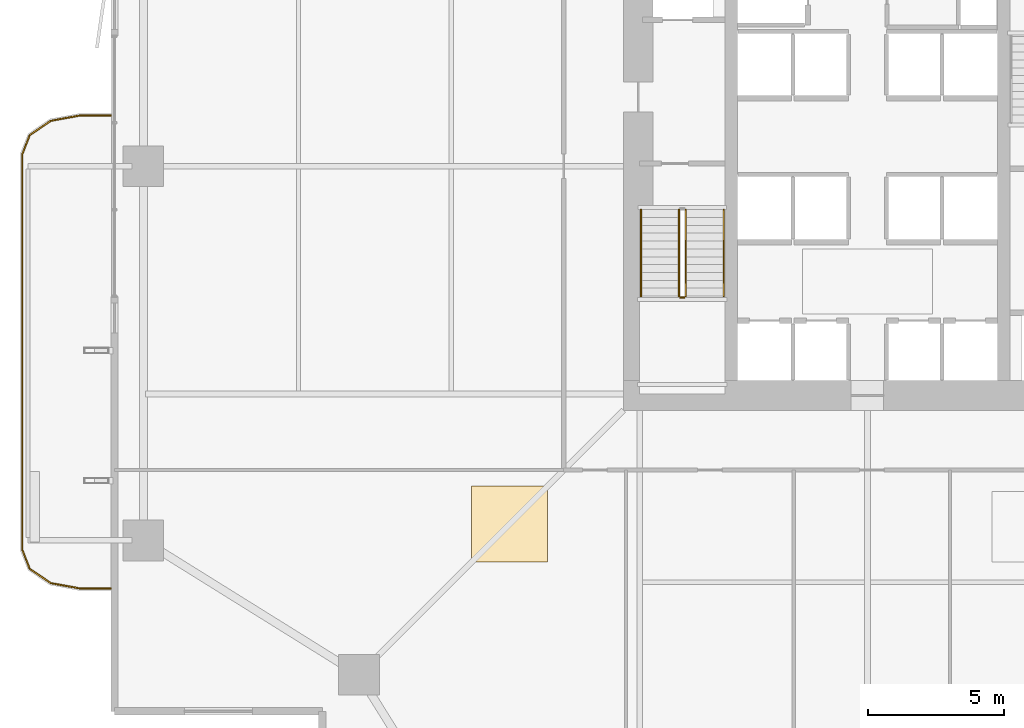
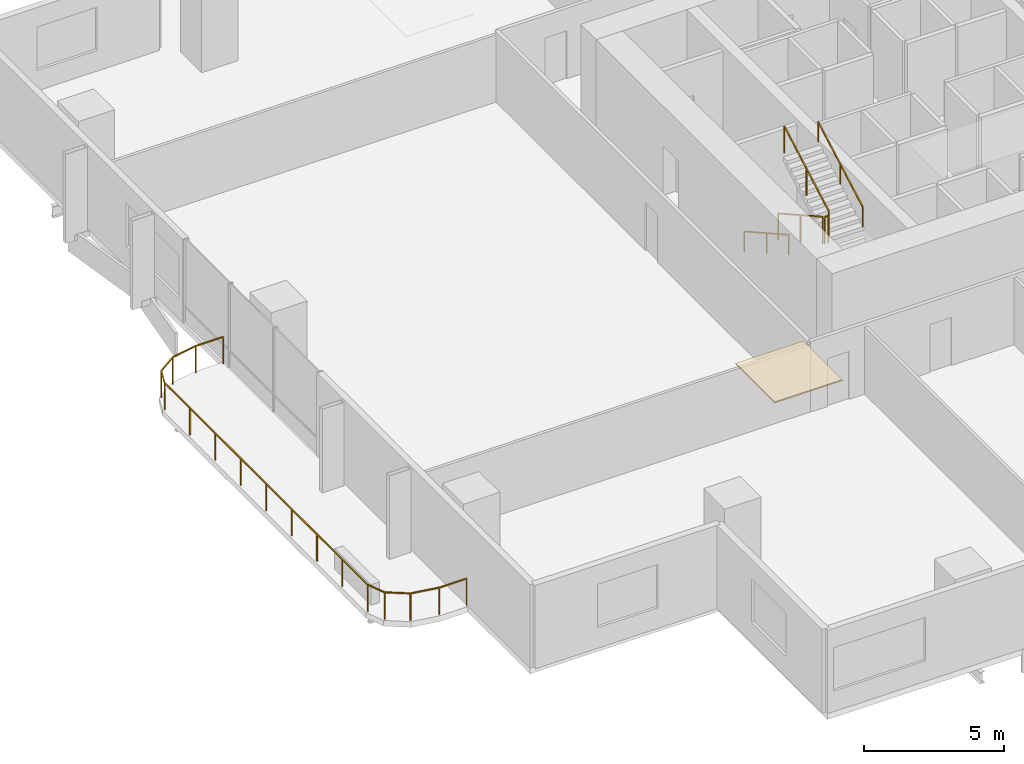
# One storey, part 21 of 24: 6 railings, 1 covering.
"""IFC4 building model written with IfcOpenShell, lengths in metres."""

import ifcopenshell
import ifcopenshell.guid

model = None  # the IFC model being written
_history = None  # IfcOwnerHistory: only IFC2X3 demands one
_inside = {}  # id of a spatial element -> (the spatial element, [elements in it])
_under = {}  # id of a project, library or spatial element -> (it, [spatial elements below it])
_declared = {}  # id of a project -> (the project, [libraries it declares])
_typed = {}  # id of a type object -> (the type object, [elements of that type])
_made_of = {}  # id of a material, layer set ... -> (it, [elements and type objects made of it])


def new_model(schema):
    """Start an empty IFC model of exactly this schema.

    Asked for "IFC4X3", IfcOpenShell would pick the latest addendum, in which some entities
    have other attributes; the version numbers below select the first issue.
    IFC2X3 requires an IfcOwnerHistory on every rooted entity: one is made here for all.
    """
    global model, _history
    if schema == "IFC4X3":
        model = ifcopenshell.file(schema_version=(4, 3, 0, 0))
    else:
        model = ifcopenshell.file(schema=schema)
    _inside.clear()
    _under.clear()
    _declared.clear()
    _typed.clear()
    _made_of.clear()
    _history = None
    if model.schema == "IFC2X3":
        org = make("IfcOrganization", Name="unknown")
        user = make(
            "IfcPersonAndOrganization",
            ThePerson=make("IfcPerson", FamilyName="unknown"),
            TheOrganization=org,
        )
        app = make(
            "IfcApplication",
            ApplicationDeveloper=org,
            Version="unknown",
            ApplicationFullName="unknown",
            ApplicationIdentifier="unknown",
        )
        _history = make(
            "IfcOwnerHistory",
            OwningUser=user,
            OwningApplication=app,
            ChangeAction="ADDED",
            CreationDate=0,
        )
    return model


def make(cls, **values):
    """One entity of the class cls with the attributes given. An attribute that is None is left unset."""
    return model.create_entity(
        cls, **{name: value for name, value in values.items() if value is not None}
    )


def rooted(cls, **values):
    """An entity with a GlobalId (a new one), such as an element, a storey or a relation."""
    return make(cls, GlobalId=ifcopenshell.guid.new(), OwnerHistory=_history, **values)


def si_unit(unit_type, name, prefix=None):
    """IfcSIUnit, for example si_unit("LENGTHUNIT", "METRE", prefix="MILLI")."""
    return make("IfcSIUnit", UnitType=unit_type, Prefix=prefix, Name=name)


def assignment(units):
    """IfcUnitAssignment: the units of a project."""
    return None if units is None else make("IfcUnitAssignment", Units=units)


def point(xyz):
    """IfcCartesianPoint."""
    return None if xyz is None else make("IfcCartesianPoint", Coordinates=xyz)


def direction(xyz):
    """IfcDirection."""
    return None if xyz is None else make("IfcDirection", DirectionRatios=xyz)


def frame(location, z_axis=None, x_axis=None):
    """IfcAxis2Placement3D, a coordinate frame: its origin and axes. An axis left out is left unset."""
    return make(
        "IfcAxis2Placement3D",
        Location=point(location),
        Axis=direction(z_axis),
        RefDirection=direction(x_axis),
    )


def frame_2d(location, x_axis=None):
    """IfcAxis2Placement2D, a coordinate frame in the plane: its origin and x axis."""
    return make(
        "IfcAxis2Placement2D", Location=point(location), RefDirection=direction(x_axis)
    )


def origin():
    """The frame at (0, 0, 0) with its axes left unset."""
    return frame((0.0, 0.0, 0.0))


def origin_2d():
    """The frame at (0, 0) in the plane with its x axis left unset."""
    return frame_2d((0.0, 0.0))


def place(relative_to, where):
    """IfcLocalPlacement: puts the frame where relative to a parent placement (None: the world)."""
    return make(
        "IfcLocalPlacement", PlacementRelTo=relative_to, RelativePlacement=where
    )


def context(
    kind, dimensions, precision=None, world=None, true_north=None, identifier=None
):
    """IfcGeometricRepresentationContext, for example the 3D "Model" context."""
    return make(
        "IfcGeometricRepresentationContext",
        ContextIdentifier=identifier,
        ContextType=kind,
        CoordinateSpaceDimension=dimensions,
        Precision=precision,
        WorldCoordinateSystem=world,
        TrueNorth=true_north,
    )


def subcontext(parent, identifier, kind, view, scale=None):
    """IfcGeometricRepresentationSubContext, for example "Body" below "Model"."""
    return make(
        "IfcGeometricRepresentationSubContext",
        ContextIdentifier=identifier,
        ContextType=kind,
        ParentContext=parent,
        TargetScale=scale,
        TargetView=view,
    )


def project(units=None, contexts=None):
    """IfcProject with its units and contexts."""
    return rooted(
        "IfcProject",
        Name="project",
        RepresentationContexts=contexts,
        UnitsInContext=assignment(units),
    )


def spatial(cls, under=None, at=None, **own):
    """A site, building, storey or space (cls), placed at a placement, below another one or the project."""
    s = rooted(cls, ObjectPlacement=at, **own)
    if under is not None:
        _under.setdefault(under.id(), (under, []))[1].append(s)
    return s


def polyline(points):
    """IfcPolyline through the points."""
    return make("IfcPolyline", Points=[point(p) for p in points])


def profile(cls, at=None, kind="AREA", **sizes):
    """A parametric profile (cls). Its sizes go by their IFC names, for example OverallWidth=200.0."""
    return make(cls, ProfileType=kind, Position=at, **sizes)


def rectangle(**sizes):
    """IfcRectangleProfileDef."""
    return profile("IfcRectangleProfileDef", **sizes)


def outline(outer, holes=None, kind="AREA"):
    """IfcArbitraryClosedProfileDef: a profile drawn as a closed curve; with holes, ...WithVoids."""
    if holes is None:
        return make("IfcArbitraryClosedProfileDef", ProfileType=kind, OuterCurve=outer)
    return make(
        "IfcArbitraryProfileDefWithVoids",
        ProfileType=kind,
        OuterCurve=outer,
        InnerCurves=holes,
    )


def extrude(swept, where, along, depth):
    """IfcExtrudedAreaSolid: the profile swept, set in the frame where, extruded along a direction by depth."""
    return make(
        "IfcExtrudedAreaSolid",
        SweptArea=swept,
        Position=where,
        ExtrudedDirection=direction(along),
        Depth=depth,
    )


def shape(context_of_items, identifier, shape_type, items):
    """IfcShapeRepresentation: the items that make up one representation, for example the "Body"."""
    return make(
        "IfcShapeRepresentation",
        ContextOfItems=context_of_items,
        RepresentationIdentifier=identifier,
        RepresentationType=shape_type,
        Items=items,
    )


def material(Name=None, Category=None):
    """IfcMaterial."""
    return make("IfcMaterial", Name=Name, Category=Category)


def layer(
    of_material, thickness, ventilated=None, Name=None, Category=None, Priority=None
):
    """IfcMaterialLayer: one layer of a wall or slab, of a material (None: an air gap)."""
    return make(
        "IfcMaterialLayer",
        Material=of_material,
        LayerThickness=thickness,
        IsVentilated=ventilated,
        Name=Name,
        Category=Category,
        Priority=Priority,
    )


def layer_set(layers, Name=None):
    """IfcMaterialLayerSet."""
    return make("IfcMaterialLayerSet", MaterialLayers=layers, LayerSetName=Name)


def made_of(thing, what):
    """Note that an element or type object is made of a material, layer set ...; save() writes the relation."""
    if what is not None:
        _made_of.setdefault(what.id(), (what, []))[1].append(thing)
    return thing


def type_object(cls, material=None, **own):
    """A type object (cls), such as IfcWallType, which elements share."""
    return made_of(rooted(cls, **own), material)


def element(
    cls,
    number,
    at=None,
    inside=None,
    cuts=None,
    type_object=None,
    material=None,
    context=None,
    identifier="Body",
    shape_type=None,
    held_by="IfcProductDefinitionShape",
    body=None,
    shapes=None,
    **own,
):
    """One element of the class cls, such as IfcWall. Its Tag is "e" and its number.

    at: its placement. inside: the storey or other place that contains it. cuts: it is an
    opening in that element (IfcRelVoidsElement). A single representation is given by context,
    identifier, shape_type and body (its items); several are given by shapes. held_by: the class
    of the entity that holds the representations. save() writes the other relations.
    """
    e = rooted(cls, Tag="e%d" % number, ObjectPlacement=at, **own)
    if body is not None:
        shapes = [shape(context, identifier, shape_type, body)]
    if shapes is not None:
        e.Representation = make(held_by, Representations=shapes)
    if inside is not None:
        _inside.setdefault(inside.id(), (inside, []))[1].append(e)
    if cuts is not None:
        rooted(
            "IfcRelVoidsElement", RelatingBuildingElement=cuts, RelatedOpeningElement=e
        )
    if type_object is not None:
        _typed.setdefault(type_object.id(), (type_object, []))[1].append(e)
    return made_of(e, material)


def aggregate(whole, parts):
    """IfcRelAggregates: a whole, such as a stair, and the parts it consists of."""
    return rooted("IfcRelAggregates", RelatingObject=whole, RelatedObjects=parts)


def save(model, path):
    """Write the relations noted so far, then the file.

    IfcRelAggregates (storeys below a building ...), IfcRelContainedInSpatialStructure (elements
    in a storey), IfcRelDefinesByType, IfcRelAssociatesMaterial and IfcRelDeclares: one each for
    every whole, place, type object, material and project.
    """
    for whole, parts in _under.values():
        aggregate(whole, parts)
    for where, things in _inside.values():
        rooted(
            "IfcRelContainedInSpatialStructure",
            RelatedElements=things,
            RelatingStructure=where,
        )
    for kind, things in _typed.values():
        rooted("IfcRelDefinesByType", RelatedObjects=things, RelatingType=kind)
    for what, things in _made_of.values():
        rooted("IfcRelAssociatesMaterial", RelatedObjects=things, RelatingMaterial=what)
    for by, libraries in _declared.values():
        rooted("IfcRelDeclares", RelatingContext=by, RelatedDefinitions=libraries)
    model.write(path)


model = new_model("IFC4")

# Units and contexts
model_context = context("Model", 3, precision=1e-05, world=origin(), true_north=direction((0.0, 1.0)))
body_context = subcontext(model_context, "Body", "Model", "MODEL_VIEW")
ifc_project = project(units=[si_unit("LENGTHUNIT", "METRE"), si_unit("AREAUNIT", "SQUARE_METRE"), si_unit("VOLUMEUNIT", "CUBIC_METRE"), si_unit("PLANEANGLEUNIT", "RADIAN"), si_unit("MASSUNIT", "GRAM", prefix="KILO")], contexts=[model_context])

# Site, building, storey
site_placement = place(None, origin())
site = spatial("IfcSite", under=ifc_project, at=site_placement, CompositionType="ELEMENT")
building_placement = place(site_placement, origin())
building = spatial("IfcBuilding", under=site, at=building_placement, Name="Belovzor Exchange Tower", CompositionType="ELEMENT")
storey_placement = place(building_placement, frame((0.0, 0.0, 96.300048828125)))
storey = spatial("IfcBuildingStorey", under=building, at=storey_placement, Name="L23", CompositionType="ELEMENT", Elevation=96.300048828125)

# Railings
ifc_material_1 = material(Name="Stainless Steel Grade 304", Category="steel")
railing_type_1 = type_object("IfcRailingType", Name="Brushed Stainless Steel Stair Handrail 900", PredefinedType="HANDRAIL", material=ifc_material_1)
railing_1_placement = place(storey_placement, frame((20.449951171875, 27.199951171875, 0.162353515625)))
element("IfcRailing", 1, at=railing_1_placement, inside=storey, type_object=railing_type_1, Name="L23 ST-1 stair handrail 1", PredefinedType="HANDRAIL", context=body_context, shape_type="SweptSolid", body=[
    extrude(rectangle(XDim=0.048095703125, YDim=0.048095703125, at=origin_2d()), frame((0.0, 0.0, 0.8759765625), z_axis=(0.0, -0.8723625253, 0.488859514025), x_axis=(1.0, 0.0, 0.0)), (0.0, 0.0, 1.0), 3.65673828125),
    extrude(rectangle(XDim=0.0419921875, YDim=0.0419921875, at=origin_2d()), origin(), (0.0, 0.0, 1.0), 0.851806640625),
    extrude(rectangle(XDim=0.0419921875, YDim=0.0419921875, at=origin_2d()), frame((0.0, -1.594970703125, 0.893798828125)), (0.0, 0.0, 1.0), 0.851806640625),
    extrude(rectangle(XDim=0.0419921875, YDim=0.0419921875, at=origin_2d()), frame((0.0, -3.18994140625, 1.78759765625)), (0.0, 0.0, 1.0), 0.851806640625),
])
railing_2_placement = place(storey_placement, frame((23.5, 24.010009765625, 2.112548828125)))
element("IfcRailing", 2, at=railing_2_placement, inside=storey, type_object=railing_type_1, Name="L23 ST-1 stair handrail 2", PredefinedType="HANDRAIL", context=body_context, shape_type="SweptSolid", body=[
    extrude(rectangle(XDim=0.048095703125, YDim=0.048095703125, at=origin_2d()), frame((0.0, 0.0, 0.8759765625), z_axis=(0.0, 0.872390997893, 0.488808701636), x_axis=(-1.0, 0.0, 0.0)), (0.0, 0.0, 1.0), 3.656494140625),
    extrude(rectangle(XDim=0.0419921875, YDim=0.0419921875, at=origin_2d()), origin(), (0.0, 0.0, 1.0), 0.851806640625),
    extrude(rectangle(XDim=0.0419921875, YDim=0.0419921875, at=origin_2d()), frame((0.0, 1.594970703125, 0.8935546875)), (0.0, 0.0, 1.0), 0.851806640625),
    extrude(rectangle(XDim=0.0419921875, YDim=0.0419921875, at=origin_2d()), frame((0.0, 3.18994140625, 1.787353515625)), (0.0, 0.0, 1.0), 0.851806640625),
])
ifc_material_2 = material(Name="Stainless Steel and Laminated Safety Glass", Category="steel")
railing_type_2 = type_object("IfcRailingType", Name="Laminated Glass & Stainless Steel Balcony Balustrade 1200", PredefinedType="BALUSTRADE", material=ifc_material_2)
railing_3_placement = place(storey_placement, frame((0.889892578125, 30.669921875, 0.0)))
element("IfcRailing", 3, at=railing_3_placement, inside=storey, type_object=railing_type_2, Name="GR-1 Balcony Balustrade L23 West", PredefinedType="BALUSTRADE", context=body_context, shape_type="SweptSolid", body=[
    extrude(rectangle(XDim=0.048095703125, YDim=0.048095703125, at=origin_2d()), frame((0.0, 0.0, 1.17578125), z_axis=(-1.0, 0.0, 0.0), x_axis=(0.0, -1.0, 0.0)), (0.0, 0.0, 1.0), 1.1328125),
    extrude(rectangle(XDim=0.048095703125, YDim=0.048095703125, at=origin_2d()), frame((-1.1328125, 0.0, 1.17578125), z_axis=(-0.983651385113, -0.180083182347, 0.0), x_axis=(0.180083182347, -0.983651385113, 0.0)), (0.0, 0.0, 1.0), 1.093994140625),
    extrude(rectangle(XDim=0.048095703125, YDim=0.048095703125, at=origin_2d()), frame((-2.208984375, -0.197021484375, 1.17578125), z_axis=(-0.826614792125, -0.562768145367, 0.0), x_axis=(0.562768145367, -0.826614792125, 0.0)), (0.0, 0.0, 1.0), 0.9326171875),
    extrude(rectangle(XDim=0.048095703125, YDim=0.048095703125, at=origin_2d()), frame((-2.97998046875, -0.721923828125, 1.17578125), z_axis=(-0.365612923861, -0.930766990125, 0.0), x_axis=(0.930766990125, -0.365612923861, 0.0)), (0.0, 0.0, 1.0), 0.765869140625),
    extrude(rectangle(XDim=0.048095703125, YDim=0.048095703125, at=origin_2d()), frame((-3.260009765625, -1.434814453125, 1.17578125), z_axis=(0.0, -1.0, 0.0), x_axis=(1.0, 0.0, 0.0)), (0.0, 0.0, 1.0), 14.570068359375),
    extrude(rectangle(XDim=0.048095703125, YDim=0.048095703125, at=origin_2d()), frame((-3.260009765625, -16.0048828125, 1.17578125), z_axis=(0.365504480807, -0.930809580156, 0.0), x_axis=(0.930809580156, 0.365504480807, 0.0)), (0.0, 0.0, 1.0), 0.76611328125),
    extrude(rectangle(XDim=0.048095703125, YDim=0.048095703125, at=origin_2d()), frame((-2.97998046875, -16.718017578125, 1.17578125), z_axis=(0.826614792125, -0.562768145367, 0.0), x_axis=(0.562768145367, 0.826614792125, 0.0)), (0.0, 0.0, 1.0), 0.9326171875),
    extrude(rectangle(XDim=0.048095703125, YDim=0.048095703125, at=origin_2d()), frame((-2.208984375, -17.242919921875, 1.17578125), z_axis=(0.983651385113, -0.180083182347, 0.0), x_axis=(0.180083182347, 0.983651385113, 0.0)), (0.0, 0.0, 1.0), 1.093994140625),
    extrude(rectangle(XDim=0.048095703125, YDim=0.048095703125, at=origin_2d()), frame((-1.1328125, -17.43994140625, 1.17578125), z_axis=(1.0, 0.0, 0.0), x_axis=(0.0, 1.0, 0.0)), (0.0, 0.0, 1.0), 1.1328125),
    extrude(rectangle(XDim=0.0419921875, YDim=0.0419921875, at=origin_2d()), origin(), (0.0, 0.0, 1.0), 1.15185546875),
    extrude(rectangle(XDim=0.0419921875, YDim=0.0419921875, at=origin_2d()), frame((-1.1328125, 0.0, 0.0)), (0.0, 0.0, 1.0), 1.15185546875),
    extrude(rectangle(XDim=0.0419921875, YDim=0.0419921875, at=origin_2d()), frame((-2.208984375, -0.197021484375, 0.0)), (0.0, 0.0, 1.0), 1.15185546875),
    extrude(rectangle(XDim=0.0419921875, YDim=0.0419921875, at=origin_2d()), frame((-2.97998046875, -0.721923828125, 0.0)), (0.0, 0.0, 1.0), 1.15185546875),
    extrude(rectangle(XDim=0.0419921875, YDim=0.0419921875, at=origin_2d()), frame((-3.260009765625, -1.434814453125, 0.0)), (0.0, 0.0, 1.0), 1.15185546875),
    extrude(rectangle(XDim=0.0419921875, YDim=0.0419921875, at=origin_2d()), frame((-3.260009765625, -3.256103515625, 0.0)), (0.0, 0.0, 1.0), 1.15185546875),
    extrude(rectangle(XDim=0.0419921875, YDim=0.0419921875, at=origin_2d()), frame((-3.260009765625, -5.077392578125, 0.0)), (0.0, 0.0, 1.0), 1.15185546875),
    extrude(rectangle(XDim=0.0419921875, YDim=0.0419921875, at=origin_2d()), frame((-3.260009765625, -6.898681640625, 0.0)), (0.0, 0.0, 1.0), 1.15185546875),
    extrude(rectangle(XDim=0.0419921875, YDim=0.0419921875, at=origin_2d()), frame((-3.260009765625, -8.7197265625, 0.0)), (0.0, 0.0, 1.0), 1.15185546875),
    extrude(rectangle(XDim=0.0419921875, YDim=0.0419921875, at=origin_2d()), frame((-3.260009765625, -10.541015625, 0.0)), (0.0, 0.0, 1.0), 1.15185546875),
    extrude(rectangle(XDim=0.0419921875, YDim=0.0419921875, at=origin_2d()), frame((-3.260009765625, -12.3623046875, 0.0)), (0.0, 0.0, 1.0), 1.15185546875),
    extrude(rectangle(XDim=0.0419921875, YDim=0.0419921875, at=origin_2d()), frame((-3.260009765625, -14.18359375, 0.0)), (0.0, 0.0, 1.0), 1.15185546875),
    extrude(rectangle(XDim=0.0419921875, YDim=0.0419921875, at=origin_2d()), frame((-3.260009765625, -16.0048828125, 0.0)), (0.0, 0.0, 1.0), 1.15185546875),
    extrude(rectangle(XDim=0.0419921875, YDim=0.0419921875, at=origin_2d()), frame((-2.97998046875, -16.718017578125, 0.0)), (0.0, 0.0, 1.0), 1.15185546875),
    extrude(rectangle(XDim=0.0419921875, YDim=0.0419921875, at=origin_2d()), frame((-2.208984375, -17.242919921875, 0.0)), (0.0, 0.0, 1.0), 1.15185546875),
    extrude(rectangle(XDim=0.0419921875, YDim=0.0419921875, at=origin_2d()), frame((-1.1328125, -17.43994140625, 0.0)), (0.0, 0.0, 1.0), 1.15185546875),
    extrude(rectangle(XDim=0.0419921875, YDim=0.0419921875, at=origin_2d()), frame((0.0, -17.43994140625, 0.0)), (0.0, 0.0, 1.0), 1.15185546875),
])
ifc_material_3 = material(Name="Steel S355", Category="steel")
railing_type_3 = type_object("IfcRailingType", Name="Painted Steel Stairwell Guardrail 1200", PredefinedType="GUARDRAIL", material=ifc_material_3)
railing_4_placement = place(storey_placement, frame((21.85009765625, 27.199951171875, 0.162353515625)))
element("IfcRailing", 4, at=railing_4_placement, inside=storey, type_object=railing_type_3, Name="L23 ST-1 stair guard 1", PredefinedType="GUARDRAIL", context=body_context, shape_type="SweptSolid", body=[
    extrude(rectangle(XDim=0.048095703125, YDim=0.048095703125, at=origin_2d()), frame((0.0, 0.0, 1.17578125), z_axis=(0.0, -0.8723625253, 0.488859514025), x_axis=(1.0, 0.0, 0.0)), (0.0, 0.0, 1.0), 3.65673828125),
    extrude(rectangle(XDim=0.0419921875, YDim=0.0419921875, at=origin_2d()), origin(), (0.0, 0.0, 1.0), 1.15185546875),
    extrude(rectangle(XDim=0.0419921875, YDim=0.0419921875, at=origin_2d()), frame((0.0, -1.594970703125, 0.893798828125)), (0.0, 0.0, 1.0), 1.15185546875),
    extrude(rectangle(XDim=0.0419921875, YDim=0.0419921875, at=origin_2d()), frame((0.0, -3.18994140625, 1.78759765625)), (0.0, 0.0, 1.0), 1.15185546875),
])
railing_5_placement = place(storey_placement, frame((21.89990234375, 23.9599609375, 1.949951171875)))
element("IfcRailing", 5, at=railing_5_placement, inside=storey, type_object=railing_type_3, Name="L23 ST-1 stair guard 2", PredefinedType="GUARDRAIL", context=body_context, shape_type="SweptSolid", body=[
    extrude(rectangle(XDim=0.048095703125, YDim=0.048095703125, at=origin_2d()), frame((0.0, 0.0, 1.17578125), z_axis=(1.0, 0.0, 0.0), x_axis=(0.0, 1.0, 0.0)), (0.0, 0.0, 1.0), 0.150146484375),
    extrude(rectangle(XDim=0.0419921875, YDim=0.0419921875, at=origin_2d()), origin(), (0.0, 0.0, 1.0), 1.15185546875),
    extrude(rectangle(XDim=0.0419921875, YDim=0.0419921875, at=origin_2d()), frame((0.150146484375, 0.0, 0.0)), (0.0, 0.0, 1.0), 1.15185546875),
])
railing_6_placement = place(storey_placement, frame((22.10009765625, 24.010009765625, 2.112548828125)))
element("IfcRailing", 6, at=railing_6_placement, inside=storey, type_object=railing_type_3, Name="L23 ST-1 stair guard 3", PredefinedType="GUARDRAIL", context=body_context, shape_type="SweptSolid", body=[
    extrude(rectangle(XDim=0.048095703125, YDim=0.048095703125, at=origin_2d()), frame((0.0, 0.0, 1.17578125), z_axis=(0.0, 0.872390997893, 0.488808701636), x_axis=(-1.0, 0.0, 0.0)), (0.0, 0.0, 1.0), 3.656494140625),
    extrude(rectangle(XDim=0.0419921875, YDim=0.0419921875, at=origin_2d()), origin(), (0.0, 0.0, 1.0), 1.15185546875),
    extrude(rectangle(XDim=0.0419921875, YDim=0.0419921875, at=origin_2d()), frame((0.0, 1.594970703125, 0.8935546875)), (0.0, 0.0, 1.0), 1.15185546875),
    extrude(rectangle(XDim=0.0419921875, YDim=0.0419921875, at=origin_2d()), frame((0.0, 3.18994140625, 1.787353515625)), (0.0, 0.0, 1.0), 1.15185546875),
])

# Covering
ifc_material_4 = material(Name="Perforated Powder-Coated Aluminium", Category="aluminium")
ifc_layer = layer(ifc_material_4, 0.06005859375)
ifc_layer_set = layer_set([ifc_layer], Name="Perforated Powder-Coated Aluminium")
covering_type = type_object("IfcCoveringType", Name="Perforated Acoustic Metal Tile Suspended Ceiling 60", PredefinedType="CEILING", material=ifc_layer_set)
covering_placement = place(storey_placement, frame((0.0, 0.0, 3.58984375)))
element("IfcCovering", 7, at=covering_placement, inside=storey, type_object=covering_type, Name="CLG-AC60 Suspended Ceiling CLG-L23-Z0", PredefinedType="CEILING", context=body_context, shape_type="SweptSolid", body=[
    extrude(outline(polyline([(14.199951171875, 14.199951171875), (17.0, 14.199951171875), (17.0, 17.0), (14.199951171875, 17.0), (14.199951171875, 14.199951171875)])), origin(), (0.0, 0.0, 1.0), 0.06005859375),
])

save(model, "model.ifc")
